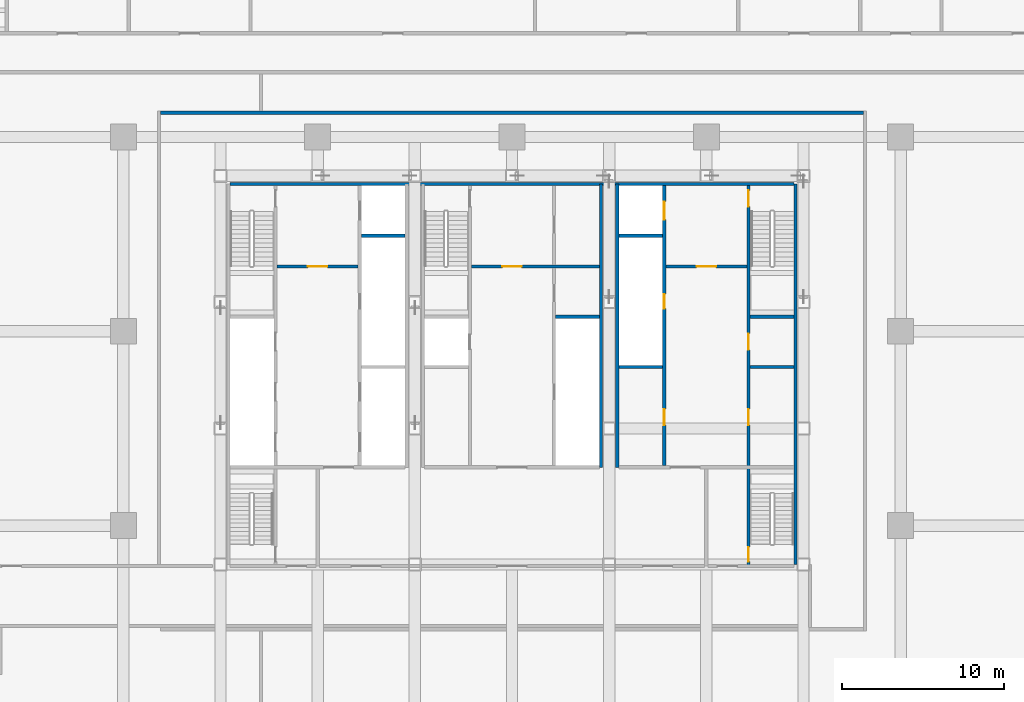
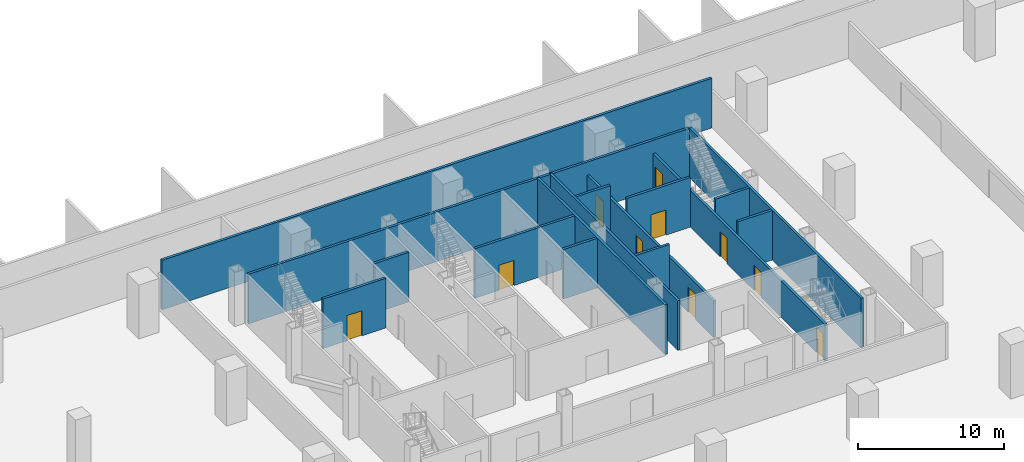
# One storey, part 5 of 15: 16 walls, 10 doors, 10 openings.
"""IFC4 building model written with IfcOpenShell, lengths in metres."""

import ifcopenshell
import ifcopenshell.guid

model = None  # the IFC model being written
_history = None  # IfcOwnerHistory: only IFC2X3 demands one
_inside = {}  # id of a spatial element -> (the spatial element, [elements in it])
_under = {}  # id of a project, library or spatial element -> (it, [spatial elements below it])
_declared = {}  # id of a project -> (the project, [libraries it declares])
_typed = {}  # id of a type object -> (the type object, [elements of that type])
_made_of = {}  # id of a material, layer set ... -> (it, [elements and type objects made of it])


def new_model(schema):
    """Start an empty IFC model of exactly this schema.

    Asked for "IFC4X3", IfcOpenShell would pick the latest addendum, in which some entities
    have other attributes; the version numbers below select the first issue.
    IFC2X3 requires an IfcOwnerHistory on every rooted entity: one is made here for all.
    """
    global model, _history
    if schema == "IFC4X3":
        model = ifcopenshell.file(schema_version=(4, 3, 0, 0))
    else:
        model = ifcopenshell.file(schema=schema)
    _inside.clear()
    _under.clear()
    _declared.clear()
    _typed.clear()
    _made_of.clear()
    _history = None
    if model.schema == "IFC2X3":
        org = make("IfcOrganization", Name="unknown")
        user = make(
            "IfcPersonAndOrganization",
            ThePerson=make("IfcPerson", FamilyName="unknown"),
            TheOrganization=org,
        )
        app = make(
            "IfcApplication",
            ApplicationDeveloper=org,
            Version="unknown",
            ApplicationFullName="unknown",
            ApplicationIdentifier="unknown",
        )
        _history = make(
            "IfcOwnerHistory",
            OwningUser=user,
            OwningApplication=app,
            ChangeAction="ADDED",
            CreationDate=0,
        )
    return model


def make(cls, **values):
    """One entity of the class cls with the attributes given. An attribute that is None is left unset."""
    return model.create_entity(
        cls, **{name: value for name, value in values.items() if value is not None}
    )


def rooted(cls, **values):
    """An entity with a GlobalId (a new one), such as an element, a storey or a relation."""
    return make(cls, GlobalId=ifcopenshell.guid.new(), OwnerHistory=_history, **values)


def si_unit(unit_type, name, prefix=None):
    """IfcSIUnit, for example si_unit("LENGTHUNIT", "METRE", prefix="MILLI")."""
    return make("IfcSIUnit", UnitType=unit_type, Prefix=prefix, Name=name)


def assignment(units):
    """IfcUnitAssignment: the units of a project."""
    return None if units is None else make("IfcUnitAssignment", Units=units)


def point(xyz):
    """IfcCartesianPoint."""
    return None if xyz is None else make("IfcCartesianPoint", Coordinates=xyz)


def direction(xyz):
    """IfcDirection."""
    return None if xyz is None else make("IfcDirection", DirectionRatios=xyz)


def frame(location, z_axis=None, x_axis=None):
    """IfcAxis2Placement3D, a coordinate frame: its origin and axes. An axis left out is left unset."""
    return make(
        "IfcAxis2Placement3D",
        Location=point(location),
        Axis=direction(z_axis),
        RefDirection=direction(x_axis),
    )


def frame_2d(location, x_axis=None):
    """IfcAxis2Placement2D, a coordinate frame in the plane: its origin and x axis."""
    return make(
        "IfcAxis2Placement2D", Location=point(location), RefDirection=direction(x_axis)
    )


def origin():
    """The frame at (0, 0, 0) with its axes left unset."""
    return frame((0.0, 0.0, 0.0))


def place(relative_to, where):
    """IfcLocalPlacement: puts the frame where relative to a parent placement (None: the world)."""
    return make(
        "IfcLocalPlacement", PlacementRelTo=relative_to, RelativePlacement=where
    )


def context(
    kind, dimensions, precision=None, world=None, true_north=None, identifier=None
):
    """IfcGeometricRepresentationContext, for example the 3D "Model" context."""
    return make(
        "IfcGeometricRepresentationContext",
        ContextIdentifier=identifier,
        ContextType=kind,
        CoordinateSpaceDimension=dimensions,
        Precision=precision,
        WorldCoordinateSystem=world,
        TrueNorth=true_north,
    )


def subcontext(parent, identifier, kind, view, scale=None):
    """IfcGeometricRepresentationSubContext, for example "Body" below "Model"."""
    return make(
        "IfcGeometricRepresentationSubContext",
        ContextIdentifier=identifier,
        ContextType=kind,
        ParentContext=parent,
        TargetScale=scale,
        TargetView=view,
    )


def project(units=None, contexts=None):
    """IfcProject with its units and contexts."""
    return rooted(
        "IfcProject",
        Name="project",
        RepresentationContexts=contexts,
        UnitsInContext=assignment(units),
    )


def spatial(cls, under=None, at=None, **own):
    """A site, building, storey or space (cls), placed at a placement, below another one or the project."""
    s = rooted(cls, ObjectPlacement=at, **own)
    if under is not None:
        _under.setdefault(under.id(), (under, []))[1].append(s)
    return s


def profile(cls, at=None, kind="AREA", **sizes):
    """A parametric profile (cls). Its sizes go by their IFC names, for example OverallWidth=200.0."""
    return make(cls, ProfileType=kind, Position=at, **sizes)


def rectangle(**sizes):
    """IfcRectangleProfileDef."""
    return profile("IfcRectangleProfileDef", **sizes)


def extrude(swept, where, along, depth):
    """IfcExtrudedAreaSolid: the profile swept, set in the frame where, extruded along a direction by depth."""
    return make(
        "IfcExtrudedAreaSolid",
        SweptArea=swept,
        Position=where,
        ExtrudedDirection=direction(along),
        Depth=depth,
    )


def shape(context_of_items, identifier, shape_type, items):
    """IfcShapeRepresentation: the items that make up one representation, for example the "Body"."""
    return make(
        "IfcShapeRepresentation",
        ContextOfItems=context_of_items,
        RepresentationIdentifier=identifier,
        RepresentationType=shape_type,
        Items=items,
    )


def material(Name=None, Category=None):
    """IfcMaterial."""
    return make("IfcMaterial", Name=Name, Category=Category)


def layer(
    of_material, thickness, ventilated=None, Name=None, Category=None, Priority=None
):
    """IfcMaterialLayer: one layer of a wall or slab, of a material (None: an air gap)."""
    return make(
        "IfcMaterialLayer",
        Material=of_material,
        LayerThickness=thickness,
        IsVentilated=ventilated,
        Name=Name,
        Category=Category,
        Priority=Priority,
    )


def layer_set(layers, Name=None):
    """IfcMaterialLayerSet."""
    return make("IfcMaterialLayerSet", MaterialLayers=layers, LayerSetName=Name)


def made_of(thing, what):
    """Note that an element or type object is made of a material, layer set ...; save() writes the relation."""
    if what is not None:
        _made_of.setdefault(what.id(), (what, []))[1].append(thing)
    return thing


def type_object(cls, material=None, **own):
    """A type object (cls), such as IfcWallType, which elements share."""
    return made_of(rooted(cls, **own), material)


def element(
    cls,
    number,
    at=None,
    inside=None,
    cuts=None,
    type_object=None,
    material=None,
    context=None,
    identifier="Body",
    shape_type=None,
    held_by="IfcProductDefinitionShape",
    body=None,
    shapes=None,
    **own,
):
    """One element of the class cls, such as IfcWall. Its Tag is "e" and its number.

    at: its placement. inside: the storey or other place that contains it. cuts: it is an
    opening in that element (IfcRelVoidsElement). A single representation is given by context,
    identifier, shape_type and body (its items); several are given by shapes. held_by: the class
    of the entity that holds the representations. save() writes the other relations.
    """
    e = rooted(cls, Tag="e%d" % number, ObjectPlacement=at, **own)
    if body is not None:
        shapes = [shape(context, identifier, shape_type, body)]
    if shapes is not None:
        e.Representation = make(held_by, Representations=shapes)
    if inside is not None:
        _inside.setdefault(inside.id(), (inside, []))[1].append(e)
    if cuts is not None:
        rooted(
            "IfcRelVoidsElement", RelatingBuildingElement=cuts, RelatedOpeningElement=e
        )
    if type_object is not None:
        _typed.setdefault(type_object.id(), (type_object, []))[1].append(e)
    return made_of(e, material)


def fill(opening, filler):
    """IfcRelFillsElement: the door or window that sits in an opening."""
    return rooted(
        "IfcRelFillsElement",
        RelatingOpeningElement=opening,
        RelatedBuildingElement=filler,
    )


def aggregate(whole, parts):
    """IfcRelAggregates: a whole, such as a stair, and the parts it consists of."""
    return rooted("IfcRelAggregates", RelatingObject=whole, RelatedObjects=parts)


def save(model, path):
    """Write the relations noted so far, then the file.

    IfcRelAggregates (storeys below a building ...), IfcRelContainedInSpatialStructure (elements
    in a storey), IfcRelDefinesByType, IfcRelAssociatesMaterial and IfcRelDeclares: one each for
    every whole, place, type object, material and project.
    """
    for whole, parts in _under.values():
        aggregate(whole, parts)
    for where, things in _inside.values():
        rooted(
            "IfcRelContainedInSpatialStructure",
            RelatedElements=things,
            RelatingStructure=where,
        )
    for kind, things in _typed.values():
        rooted("IfcRelDefinesByType", RelatedObjects=things, RelatingType=kind)
    for what, things in _made_of.values():
        rooted("IfcRelAssociatesMaterial", RelatedObjects=things, RelatingMaterial=what)
    for by, libraries in _declared.values():
        rooted("IfcRelDeclares", RelatingContext=by, RelatedDefinitions=libraries)
    model.write(path)


model = new_model("IFC4")

# Units and contexts
model_context = context("Model", 3, precision=1e-05, world=origin(), true_north=direction((0.0, 1.0)))
body_context = subcontext(model_context, "Body", "Model", "MODEL_VIEW")
ifc_project = project(units=[si_unit("LENGTHUNIT", "METRE"), si_unit("AREAUNIT", "SQUARE_METRE"), si_unit("VOLUMEUNIT", "CUBIC_METRE"), si_unit("PLANEANGLEUNIT", "RADIAN"), si_unit("MASSUNIT", "GRAM", prefix="KILO")], contexts=[model_context])

# Site, building, storey
site_placement = place(None, origin())
site = spatial("IfcSite", under=ifc_project, at=site_placement, CompositionType="ELEMENT")
building_placement = place(site_placement, origin())
building = spatial("IfcBuilding", under=site, at=building_placement, Name="Sorahane Residences", CompositionType="ELEMENT")
storey_placement = place(building_placement, frame((0.0, 0.0, -4.5)))
storey = spatial("IfcBuildingStorey", under=building, at=storey_placement, Name="B1", CompositionType="ELEMENT", Elevation=-4.5)

# Walls
ifc_material_1 = material(Name="Concrete C30", Category="concrete")
ifc_layer_1 = layer(ifc_material_1, 0.199951171875)
ifc_layer_set_1 = layer_set([ifc_layer_1], Name="Core face wall 200 EI 180")
wall_type_1 = type_object("IfcWallType", Name="Core face wall 200 EI 180", PredefinedType="SOLIDWALL", material=ifc_layer_set_1)
wall_1_placement = place(storey_placement, frame((41.5, 21.60009765625, 0.0), z_axis=(0.0, 0.0, 1.0), x_axis=(0.0, 1.0, 0.0)))
element("IfcWall", 1, at=wall_1_placement, inside=storey, type_object=wall_type_1, Name="B1 core face wall", PredefinedType="SOLIDWALL", context=body_context, shape_type="SweptSolid", body=[
    extrude(rectangle(XDim=23.5, YDim=0.199951171875, at=frame_2d((11.75, 0.0))), origin(), (0.0, 0.0, 1.0), 4.139892578125),
])
wall_2_placement = place(storey_placement, frame((6.60009765625, 45.10009765625, 0.0), z_axis=(0.0, 0.0, 1.0), x_axis=(1.0, 0.0, 0.0)))
element("IfcWall", 2, at=wall_2_placement, inside=storey, type_object=wall_type_1, Name="B1 core face wall", PredefinedType="SOLIDWALL", context=body_context, shape_type="SweptSolid", body=[
    extrude(rectangle(XDim=34.7998046875, YDim=0.199951171875, at=frame_2d((17.39990234375, 0.0))), origin(), (0.0, 0.0, 1.0), 4.139892578125),
])
for number, where, z_axis, x_axis, name in (
    (3, (29.5, 27.60009765625, 0.0), (0.0, 0.0, 1.0), (0.0, 1.0, 0.0), "B1 core face wall"),
    (4, (30.5, 27.60009765625, 0.0), (0.0, 0.0, 1.0), (0.0, 1.0, 0.0), "B1 core face wall"),
):
    element("IfcWall", number, at=place(storey_placement, frame(where, z_axis=z_axis, x_axis=x_axis)), inside=storey, type_object=wall_type_1, Name=name, PredefinedType="SOLIDWALL", context=body_context, shape_type="SweptSolid", body=[
        extrude(rectangle(XDim=17.5, YDim=0.199951171875, at=frame_2d((8.75, 0.0))), origin(), (0.0, 0.0, 1.0), 4.139892578125),
    ])
ifc_material_2 = material(Name="Concrete blockwork C20 wall", Category="masonry")
ifc_layer_2 = layer(ifc_material_2, 0.199951171875)
ifc_layer_set_2 = layer_set([ifc_layer_2], Name="Fire wall 200 EI 120")
wall_type_2 = type_object("IfcWallType", Name="Fire wall 200 EI 120", PredefinedType="SOLIDWALL", material=ifc_layer_set_2)
wall_3_placement = place(storey_placement, frame((2.300048828125, 49.5, 0.0), z_axis=(0.0, 0.0, 1.0), x_axis=(1.0, 0.0, 0.0)))
element("IfcWall", 5, at=wall_3_placement, inside=storey, type_object=wall_type_2, Name="B1 fire wall", PredefinedType="SOLIDWALL", context=body_context, shape_type="SweptSolid", body=[
    extrude(rectangle(XDim=43.39990234375, YDim=0.199951171875, at=frame_2d((21.699951171875, 0.0))), origin(), (0.0, 0.0, 1.0), 4.139892578125),
])

# Wall, opening, door
ifc_material_3 = material(Name="Concrete C30", Category="concrete")
ifc_layer_3 = layer(ifc_material_3, 0.199951171875)
ifc_layer_set_3 = layer_set([ifc_layer_3], Name="Front room wall 200 EI 120")
wall_type_3 = type_object("IfcWallType", Name="Front room wall 200 EI 120", PredefinedType="PARTITIONING", material=ifc_layer_set_3)
wall_4_placement = place(storey_placement, frame((21.5, 40.0, 0.0), z_axis=(0.0, 0.0, 1.0), x_axis=(1.0, 0.0, 0.0)))
wall_4 = element("IfcWall", 6, at=wall_4_placement, inside=storey, type_object=wall_type_3, Name="B1 front room wall", PredefinedType="PARTITIONING", context=body_context, shape_type="SweptSolid", body=[
    extrude(rectangle(XDim=7.89990234375, YDim=0.199951171875, at=frame_2d((3.949951171875, 0.0))), origin(), (0.0, 0.0, 1.0), 4.139892578125),
])
opening_1_placement = place(wall_4_placement, frame((1.89990234375, 0.0, 0.0)))
opening_1 = element("IfcOpeningElement", 7, at=opening_1_placement, cuts=wall_4, Name="Opening B1-C09", PredefinedType="OPENING", context=body_context, shape_type="SweptSolid", body=[
    extrude(rectangle(XDim=1.199951171875, YDim=2.10009765625, at=frame_2d((0.60009765625, 1.050048828125))), frame((0.0, 0.10986328125, 0.0), z_axis=(0.0, -1.0, 0.0), x_axis=(1.0, 0.0, 0.0)), (0.0, 0.0, 1.0), 0.219970703125),
])
ifc_material_4 = material(Name="Steel", Category="steel")
door_type_1 = type_object("IfcDoorType", Name="Front room door 1200x2100 FD120", OperationType="NOTDEFINED", PredefinedType="DOOR", material=ifc_material_4)
door_1_placement = place(opening_1_placement, frame((1.199951171875, 0.0, 0.0), z_axis=(0.0, 0.0, 1.0), x_axis=(-1.0, 0.0, 0.0)))
door_1 = element("IfcDoor", 8, at=door_1_placement, inside=storey, type_object=door_type_1, Name="Front room door Stair S3 vestibule B1", OperationType="DOUBLE_DOOR_SINGLE_SWING", OverallHeight=2.10009765625, OverallWidth=1.199951171875, PredefinedType="DOOR", context=body_context, shape_type="SweptSolid", body=[
    extrude(rectangle(XDim=1.199951171875, YDim=2.10009765625, at=frame_2d((0.60009765625, 1.050048828125))), frame((0.0, 0.02490234375, 0.0), z_axis=(0.0, -1.0, 0.0), x_axis=(1.0, 0.0, 0.0)), (0.0, 0.0, 1.0), 0.050048828125),
])
fill(opening_1, door_1)

wall_5_placement = place(storey_placement, frame((33.5, 40.0, 0.0), z_axis=(0.0, 0.0, 1.0), x_axis=(1.0, 0.0, 0.0)))
wall_5 = element("IfcWall", 9, at=wall_5_placement, inside=storey, type_object=wall_type_3, Name="B1 front room wall", PredefinedType="PARTITIONING", context=body_context, shape_type="SweptSolid", body=[
    extrude(rectangle(XDim=5.0, YDim=0.199951171875, at=frame_2d((2.5, 0.0))), origin(), (0.0, 0.0, 1.0), 4.139892578125),
])
opening_2_placement = place(wall_5_placement, frame((1.89990234375, 0.0, 0.0)))
opening_2 = element("IfcOpeningElement", 10, at=opening_2_placement, cuts=wall_5, Name="Opening B1-C11", PredefinedType="OPENING", context=body_context, shape_type="SweptSolid", body=[
    extrude(rectangle(XDim=1.199951171875, YDim=2.10009765625, at=frame_2d((0.60009765625, 1.050048828125))), frame((0.0, 0.10986328125, 0.0), z_axis=(0.0, -1.0, 0.0), x_axis=(1.0, 0.0, 0.0)), (0.0, 0.0, 1.0), 0.219970703125),
])
door_2_placement = place(opening_2_placement, frame((1.199951171875, 0.0, 0.0), z_axis=(0.0, 0.0, 1.0), x_axis=(-1.0, 0.0, 0.0)))
door_2 = element("IfcDoor", 11, at=door_2_placement, inside=storey, type_object=door_type_1, Name="Front room door Firefighting lobby FF2 front room B1", OperationType="DOUBLE_DOOR_SINGLE_SWING", OverallHeight=2.10009765625, OverallWidth=1.199951171875, PredefinedType="DOOR", context=body_context, shape_type="SweptSolid", body=[
    extrude(rectangle(XDim=1.199951171875, YDim=2.10009765625, at=frame_2d((0.60009765625, 1.050048828125))), frame((0.0, 0.02490234375, 0.0), z_axis=(0.0, -1.0, 0.0), x_axis=(1.0, 0.0, 0.0)), (0.0, 0.0, 1.0), 0.050048828125),
])
fill(opening_2, door_2)

wall_6_placement = place(storey_placement, frame((9.5, 40.0, 0.0), z_axis=(0.0, 0.0, 1.0), x_axis=(1.0, 0.0, 0.0)))
wall_6 = element("IfcWall", 12, at=wall_6_placement, inside=storey, type_object=wall_type_3, Name="B1 front room wall", PredefinedType="PARTITIONING", context=body_context, shape_type="SweptSolid", body=[
    extrude(rectangle(XDim=5.0, YDim=0.199951171875, at=frame_2d((2.5, 0.0))), origin(), (0.0, 0.0, 1.0), 4.139892578125),
])
opening_3_placement = place(wall_6_placement, frame((1.89990234375, 0.0, 0.0)))
opening_3 = element("IfcOpeningElement", 13, at=opening_3_placement, cuts=wall_6, Name="Opening B1-C07", PredefinedType="OPENING", context=body_context, shape_type="SweptSolid", body=[
    extrude(rectangle(XDim=1.199951171875, YDim=2.10009765625, at=frame_2d((0.60009765625, 1.050048828125))), frame((0.0, 0.10986328125, 0.0), z_axis=(0.0, -1.0, 0.0), x_axis=(1.0, 0.0, 0.0)), (0.0, 0.0, 1.0), 0.219970703125),
])
door_3_placement = place(opening_3_placement, frame((1.199951171875, 0.0, 0.0), z_axis=(0.0, 0.0, 1.0), x_axis=(-1.0, 0.0, 0.0)))
door_3 = element("IfcDoor", 14, at=door_3_placement, inside=storey, type_object=door_type_1, Name="Front room door Firefighting lobby FF1 front room B1", OperationType="DOUBLE_DOOR_SINGLE_SWING", OverallHeight=2.10009765625, OverallWidth=1.199951171875, PredefinedType="DOOR", context=body_context, shape_type="SweptSolid", body=[
    extrude(rectangle(XDim=1.199951171875, YDim=2.10009765625, at=frame_2d((0.60009765625, 1.050048828125))), frame((0.0, 0.02490234375, 0.0), z_axis=(0.0, -1.0, 0.0), x_axis=(1.0, 0.0, 0.0)), (0.0, 0.0, 1.0), 0.050048828125),
])
fill(opening_3, door_3)

# Wall, openings, doors
ifc_material_5 = material(Name="Concrete C30", Category="concrete")
ifc_layer_4 = layer(ifc_material_5, 0.199951171875)
ifc_layer_set_4 = layer_set([ifc_layer_4], Name="Lift shaft wall 200 EI 120")
wall_type_4 = type_object("IfcWallType", Name="Lift shaft wall 200 EI 120", PredefinedType="SOLIDWALL", material=ifc_layer_set_4)
wall_7_placement = place(storey_placement, frame((33.39990234375, 27.699951171875, 0.0), z_axis=(0.0, 0.0, 1.0), x_axis=(0.0, 1.0, 0.0)))
wall_7 = element("IfcWall", 15, at=wall_7_placement, inside=storey, type_object=wall_type_4, Name="B1 lift shaft wall", PredefinedType="SOLIDWALL", context=body_context, shape_type="SweptSolid", body=[
    extrude(rectangle(XDim=17.300048828125, YDim=0.199951171875, at=frame_2d((8.64990234375, 0.0))), origin(), (0.0, 0.0, 1.0), 3.0400390625),
])
opening_4_placement = place(wall_7_placement, frame((15.199951171875, 0.0, 0.0)))
opening_4 = element("IfcOpeningElement", 16, at=opening_4_placement, cuts=wall_7, Name="Opening B1-C12", PredefinedType="OPENING", context=body_context, shape_type="SweptSolid", body=[
    extrude(rectangle(XDim=1.10009765625, YDim=2.10009765625, at=frame_2d((0.550048828125, 1.050048828125))), frame((0.0, 0.10986328125, 0.0), z_axis=(0.0, -1.0, 0.0), x_axis=(1.0, 0.0, 0.0)), (0.0, 0.0, 1.0), 0.219970703125),
])
opening_5_placement = place(wall_7_placement, frame((2.5, 0.0, 0.0)))
opening_5 = element("IfcOpeningElement", 17, at=opening_5_placement, cuts=wall_7, Name="Opening B1-C21", PredefinedType="OPENING", context=body_context, shape_type="SweptSolid", body=[
    extrude(rectangle(XDim=1.0, YDim=2.10009765625, at=frame_2d((0.5, 1.050048828125))), frame((0.0, 0.10986328125, 0.0), z_axis=(0.0, -1.0, 0.0), x_axis=(1.0, 0.0, 0.0)), (0.0, 0.0, 1.0), 0.219970703125),
])
opening_6_placement = place(wall_7_placement, frame((9.699951171875, 0.0, 0.0)))
opening_6 = element("IfcOpeningElement", 18, at=opening_6_placement, cuts=wall_7, Name="Opening B1-C28", PredefinedType="OPENING", context=body_context, shape_type="SweptSolid", body=[
    extrude(rectangle(XDim=0.89990234375, YDim=2.10009765625, at=frame_2d((0.449951171875, 1.050048828125))), frame((0.0, 0.10986328125, 0.0), z_axis=(0.0, -1.0, 0.0), x_axis=(1.0, 0.0, 0.0)), (0.0, 0.0, 1.0), 0.219970703125),
])
ifc_material_6 = material(Name="Aluminium and stainless steel", Category="steel")
door_type_2 = type_object("IfcDoorType", Name="Lift landing door 1100x2100 E 60", OperationType="NOTDEFINED", PredefinedType="DOOR", material=ifc_material_6)
door_4_placement = place(opening_4_placement, origin())
door_4 = element("IfcDoor", 19, at=door_4_placement, inside=storey, type_object=door_type_2, Name="Lift landing door FF2 B1", OperationType="DOUBLE_DOOR_SLIDING", OverallHeight=2.10009765625, OverallWidth=1.10009765625, PredefinedType="DOOR", context=body_context, shape_type="SweptSolid", body=[
    extrude(rectangle(XDim=1.10009765625, YDim=2.10009765625, at=frame_2d((0.550048828125, 1.050048828125))), frame((0.0, 0.02490234375, 0.0), z_axis=(0.0, -1.0, 0.0), x_axis=(1.0, 0.0, 0.0)), (0.0, 0.0, 1.0), 0.050048828125),
])
fill(opening_4, door_4)
ifc_material_7 = material(Name="Steel", Category="steel")
door_type_3 = type_object("IfcDoorType", Name="Riser door 900x2100 FD120", OperationType="NOTDEFINED", PredefinedType="DOOR", material=ifc_material_7)
door_5_placement = place(opening_6_placement, frame((0.89990234375, 0.0, 0.0), z_axis=(0.0, 0.0, 1.0), x_axis=(-1.0, 0.0, 0.0)))
door_5 = element("IfcDoor", 20, at=door_5_placement, inside=storey, type_object=door_type_3, Name="Riser door R2 B1", OperationType="SINGLE_SWING_LEFT", OverallHeight=2.10009765625, OverallWidth=0.89990234375, PredefinedType="DOOR", context=body_context, shape_type="SweptSolid", body=[
    extrude(rectangle(XDim=0.89990234375, YDim=2.10009765625, at=frame_2d((0.449951171875, 1.050048828125))), frame((0.0, 0.02490234375, 0.0), z_axis=(0.0, -1.0, 0.0), x_axis=(1.0, 0.0, 0.0)), (0.0, 0.0, 1.0), 0.050048828125),
])
fill(opening_6, door_5)
ifc_material_8 = material(Name="Steel", Category="steel")
door_type_4 = type_object("IfcDoorType", Name="Service room door 1000x2100 FD60", OperationType="NOTDEFINED", PredefinedType="DOOR", material=ifc_material_8)
door_6_placement = place(opening_5_placement, origin())
door_6 = element("IfcDoor", 21, at=door_6_placement, inside=storey, type_object=door_type_4, Name="Service room door Tea room B1", OperationType="SINGLE_SWING_RIGHT", OverallHeight=2.10009765625, OverallWidth=1.0, PredefinedType="DOOR", context=body_context, shape_type="SweptSolid", body=[
    extrude(rectangle(XDim=1.0, YDim=2.10009765625, at=frame_2d((0.5, 1.050048828125))), frame((0.0, 0.02490234375, 0.0), z_axis=(0.0, -1.0, 0.0), x_axis=(1.0, 0.0, 0.0)), (0.0, 0.0, 1.0), 0.050048828125),
])
fill(opening_5, door_6)

# Walls
for number, where, z_axis, x_axis, name in (
    (22, (14.699951171875, 41.89990234375, 0.0), (0.0, 0.0, 1.0), (1.0, 0.0, 0.0), "B1 lift shaft wall"),
    (23, (30.60009765625, 41.89990234375, 0.0), (0.0, 0.0, 1.0), (1.0, 0.0, 0.0), "B1 lift shaft wall"),
):
    element("IfcWall", number, at=place(storey_placement, frame(where, z_axis=z_axis, x_axis=x_axis)), inside=storey, type_object=wall_type_4, Name=name, PredefinedType="SOLIDWALL", context=body_context, shape_type="SweptSolid", body=[
        extrude(rectangle(XDim=2.699951171875, YDim=0.199951171875, at=frame_2d((1.35009765625, 0.0))), origin(), (0.0, 0.0, 1.0), 4.139892578125),
    ])
ifc_material_9 = material(Name="Concrete C30", Category="concrete")
ifc_layer_5 = layer(ifc_material_9, 0.199951171875)
ifc_layer_set_5 = layer_set([ifc_layer_5], Name="Riser shaft wall 200 EI 120")
wall_type_5 = type_object("IfcWallType", Name="Riser shaft wall 200 EI 120", PredefinedType="SOLIDWALL", material=ifc_layer_set_5)
for number, where, z_axis, x_axis, name in (
    (24, (30.60009765625, 33.800048828125, 0.0), (0.0, 0.0, 1.0), (1.0, 0.0, 0.0), "B1 riser wall"),
    (25, (26.699951171875, 36.89990234375, 0.0), (0.0, 0.0, 1.0), (1.0, 0.0, 0.0), "B1 riser wall"),
):
    element("IfcWall", number, at=place(storey_placement, frame(where, z_axis=z_axis, x_axis=x_axis)), inside=storey, type_object=wall_type_5, Name=name, PredefinedType="SOLIDWALL", context=body_context, shape_type="SweptSolid", body=[
        extrude(rectangle(XDim=2.699951171875, YDim=0.199951171875, at=frame_2d((1.35009765625, 0.0))), origin(), (0.0, 0.0, 1.0), 4.139892578125),
    ])
ifc_material_10 = material(Name="Concrete C30", Category="concrete")
ifc_layer_6 = layer(ifc_material_10, 0.199951171875)
ifc_layer_set_6 = layer_set([ifc_layer_6], Name="Service room partition 200 EI 60")
wall_type_6 = type_object("IfcWallType", Name="Service room partition 200 EI 60", PredefinedType="PARTITIONING", material=ifc_layer_set_6)
wall_8_placement = place(storey_placement, frame((38.699951171875, 33.800048828125, 0.0), z_axis=(0.0, 0.0, 1.0), x_axis=(1.0, 0.0, 0.0)))
element("IfcWall", 26, at=wall_8_placement, inside=storey, type_object=wall_type_6, Name="B1 service room wall", PredefinedType="PARTITIONING", context=body_context, shape_type="SweptSolid", body=[
    extrude(rectangle(XDim=2.699951171875, YDim=0.199951171875, at=frame_2d((1.35009765625, 0.0))), origin(), (0.0, 0.0, 1.0), 4.139892578125),
])

# Wall, openings, doors
ifc_material_11 = material(Name="Concrete C30", Category="concrete")
ifc_layer_7 = layer(ifc_material_11, 0.199951171875)
ifc_layer_set_7 = layer_set([ifc_layer_7], Name="Stair enclosure wall 200 EI 120")
wall_type_7 = type_object("IfcWallType", Name="Stair enclosure wall 200 EI 120", PredefinedType="SOLIDWALL", material=ifc_layer_set_7)
wall_9_placement = place(storey_placement, frame((38.60009765625, 21.5, 0.0), z_axis=(0.0, 0.0, 1.0), x_axis=(0.0, 1.0, 0.0)))
wall_9 = element("IfcWall", 27, at=wall_9_placement, inside=storey, type_object=wall_type_7, Name="B1 stair enclosure wall", PredefinedType="SOLIDWALL", context=body_context, shape_type="SweptSolid", body=[
    extrude(rectangle(XDim=23.5, YDim=0.199951171875, at=frame_2d((11.75, 0.0))), origin(), (0.0, 0.0, 1.0), 3.0400390625),
])
opening_7_placement = place(wall_9_placement, frame((8.699951171875, 0.0, 0.0)))
opening_7 = element("IfcOpeningElement", 28, at=opening_7_placement, cuts=wall_9, Name="Opening B1-C19", PredefinedType="OPENING", context=body_context, shape_type="SweptSolid", body=[
    extrude(rectangle(XDim=1.0, YDim=2.10009765625, at=frame_2d((0.5, 1.050048828125))), frame((0.0, 0.10986328125, 0.0), z_axis=(0.0, -1.0, 0.0), x_axis=(1.0, 0.0, 0.0)), (0.0, 0.0, 1.0), 0.219970703125),
])
opening_8_placement = place(wall_9_placement, frame((13.35009765625, 0.0, 0.0)))
opening_8 = element("IfcOpeningElement", 29, at=opening_8_placement, cuts=wall_9, Name="Opening B1-C20", PredefinedType="OPENING", context=body_context, shape_type="SweptSolid", body=[
    extrude(rectangle(XDim=1.0, YDim=2.10009765625, at=frame_2d((0.5, 1.050048828125))), frame((0.0, 0.10986328125, 0.0), z_axis=(0.0, -1.0, 0.0), x_axis=(1.0, 0.0, 0.0)), (0.0, 0.0, 1.0), 0.219970703125),
])
opening_9_placement = place(wall_9_placement, frame((22.199951171875, 0.0, 0.0)))
opening_9 = element("IfcOpeningElement", 30, at=opening_9_placement, cuts=wall_9, Name="Opening B1-C23", PredefinedType="OPENING", context=body_context, shape_type="SweptSolid", body=[
    extrude(rectangle(XDim=1.0, YDim=2.10009765625, at=frame_2d((0.5, 1.050048828125))), frame((0.0, 0.10986328125, 0.0), z_axis=(0.0, -1.0, 0.0), x_axis=(1.0, 0.0, 0.0)), (0.0, 0.0, 1.0), 0.219970703125),
])
opening_10_placement = place(wall_9_placement, frame((0.27490234375, 0.0, 0.0)))
opening_10 = element("IfcOpeningElement", 31, at=opening_10_placement, cuts=wall_9, Name="Opening B1-C26", PredefinedType="OPENING", context=body_context, shape_type="SweptSolid", body=[
    extrude(rectangle(XDim=0.89990234375, YDim=2.10009765625, at=frame_2d((0.449951171875, 1.050048828125))), frame((0.0, 0.10986328125, 0.0), z_axis=(0.0, -1.0, 0.0), x_axis=(1.0, 0.0, 0.0)), (0.0, 0.0, 1.0), 0.219970703125),
])
door_7_placement = place(opening_7_placement, frame((1.0, 0.0, 0.0), z_axis=(0.0, 0.0, 1.0), x_axis=(-1.0, 0.0, 0.0)))
door_7 = element("IfcDoor", 32, at=door_7_placement, inside=storey, type_object=door_type_4, Name="Service room door Tea room B1", OperationType="SINGLE_SWING_RIGHT", OverallHeight=2.10009765625, OverallWidth=1.0, PredefinedType="DOOR", context=body_context, shape_type="SweptSolid", body=[
    extrude(rectangle(XDim=1.0, YDim=2.10009765625, at=frame_2d((0.5, 1.050048828125))), frame((0.0, 0.02490234375, 0.0), z_axis=(0.0, -1.0, 0.0), x_axis=(1.0, 0.0, 0.0)), (0.0, 0.0, 1.0), 0.050048828125),
])
fill(opening_7, door_7)
door_8_placement = place(opening_8_placement, frame((1.0, 0.0, 0.0), z_axis=(0.0, 0.0, 1.0), x_axis=(-1.0, 0.0, 0.0)))
door_8 = element("IfcDoor", 33, at=door_8_placement, inside=storey, type_object=door_type_4, Name="Service room door Tea room B1", OperationType="SINGLE_SWING_LEFT", OverallHeight=2.10009765625, OverallWidth=1.0, PredefinedType="DOOR", context=body_context, shape_type="SweptSolid", body=[
    extrude(rectangle(XDim=1.0, YDim=2.10009765625, at=frame_2d((0.5, 1.050048828125))), frame((0.0, 0.02490234375, 0.0), z_axis=(0.0, -1.0, 0.0), x_axis=(1.0, 0.0, 0.0)), (0.0, 0.0, 1.0), 0.050048828125),
])
fill(opening_8, door_8)
ifc_material_12 = material(Name="Steel", Category="steel")
door_type_5 = type_object("IfcDoorType", Name="Stair door 1000x2100 FD120", OperationType="NOTDEFINED", PredefinedType="DOOR", material=ifc_material_12)
door_9_placement = place(opening_9_placement, frame((1.0, 0.0, 0.0), z_axis=(0.0, 0.0, 1.0), x_axis=(-1.0, 0.0, 0.0)))
door_9 = element("IfcDoor", 34, at=door_9_placement, inside=storey, type_object=door_type_5, Name="Stair door S2 B1", OperationType="SINGLE_SWING_LEFT", OverallHeight=2.10009765625, OverallWidth=1.0, PredefinedType="DOOR", context=body_context, shape_type="SweptSolid", body=[
    extrude(rectangle(XDim=1.0, YDim=2.10009765625, at=frame_2d((0.5, 1.050048828125))), frame((0.0, 0.02490234375, 0.0), z_axis=(0.0, -1.0, 0.0), x_axis=(1.0, 0.0, 0.0)), (0.0, 0.0, 1.0), 0.050048828125),
])
fill(opening_9, door_9)
ifc_material_13 = material(Name="Steel", Category="steel")
door_type_6 = type_object("IfcDoorType", Name="Stair door 900x2100 FD120", OperationType="NOTDEFINED", PredefinedType="DOOR", material=ifc_material_13)
door_10_placement = place(opening_10_placement, frame((0.89990234375, 0.0, 0.0), z_axis=(0.0, 0.0, 1.0), x_axis=(-1.0, 0.0, 0.0)))
door_10 = element("IfcDoor", 35, at=door_10_placement, inside=storey, type_object=door_type_6, Name="Stair door S5 B1", OperationType="SINGLE_SWING_LEFT", OverallHeight=2.10009765625, OverallWidth=0.89990234375, PredefinedType="DOOR", context=body_context, shape_type="SweptSolid", body=[
    extrude(rectangle(XDim=0.89990234375, YDim=2.10009765625, at=frame_2d((0.449951171875, 1.050048828125))), frame((0.0, 0.02490234375, 0.0), z_axis=(0.0, -1.0, 0.0), x_axis=(1.0, 0.0, 0.0)), (0.0, 0.0, 1.0), 0.050048828125),
])
fill(opening_10, door_10)

# Wall
wall_10_placement = place(storey_placement, frame((38.699951171875, 36.89990234375, 0.0), z_axis=(0.0, 0.0, 1.0), x_axis=(1.0, 0.0, 0.0)))
element("IfcWall", 36, at=wall_10_placement, inside=storey, type_object=wall_type_7, Name="B1 stair enclosure wall", PredefinedType="SOLIDWALL", context=body_context, shape_type="SweptSolid", body=[
    extrude(rectangle(XDim=2.699951171875, YDim=0.199951171875, at=frame_2d((1.35009765625, 0.0))), origin(), (0.0, 0.0, 1.0), 4.139892578125),
])

save(model, "model.ifc")
